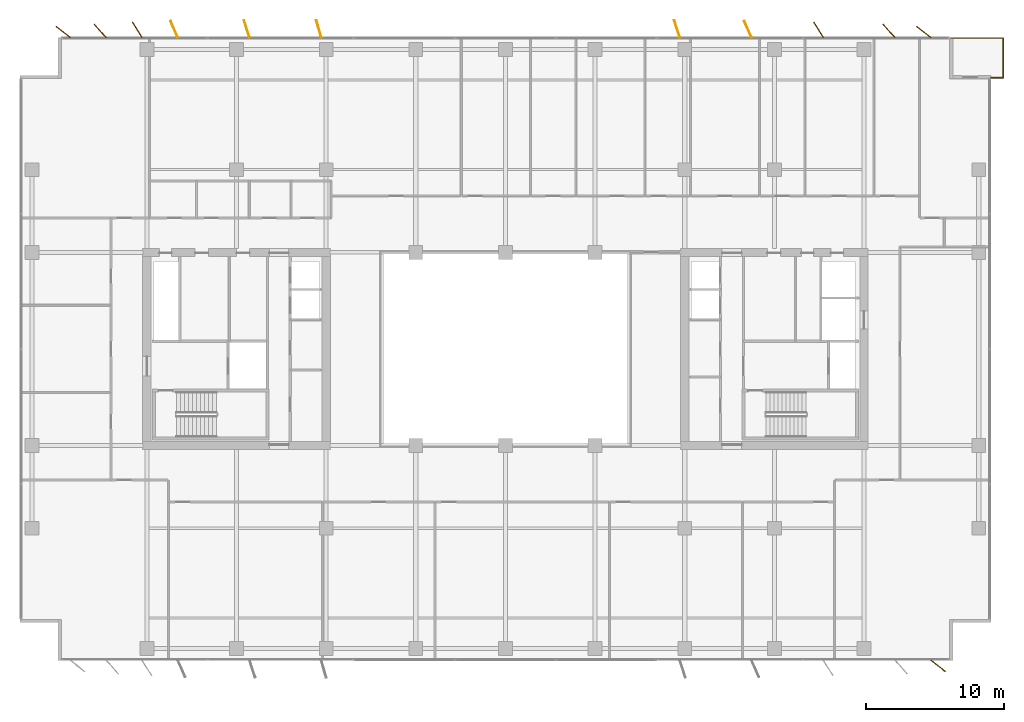
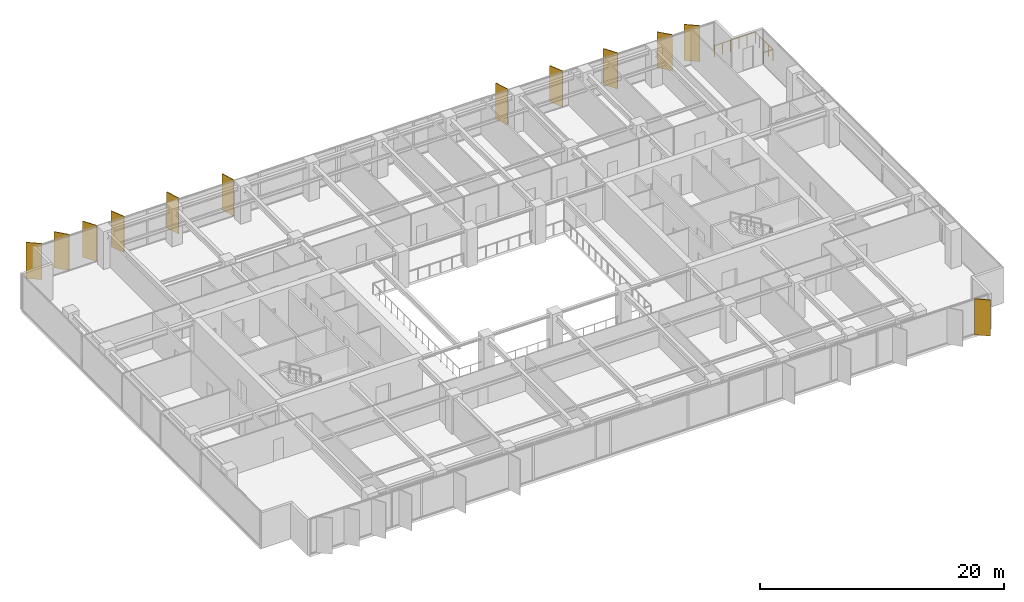
# One storey, part 22 of 22: 12 shading devices, 1 railing.
"""IFC4 building model written with IfcOpenShell, lengths in metres."""

from ifc_helpers import new_model, si_unit, direction, frame, origin, origin_2d, place, context, subcontext, project, spatial, rectangle, circle, extrude, material, layer, layer_set, type_object, element, save


model = new_model("IFC4")

# Units and contexts
model_context = context("Model", 3, precision=1e-05, world=origin(), true_north=direction((0.0, 1.0)))
body_context = subcontext(model_context, "Body", "Model", "MODEL_VIEW")
ifc_project = project(units=[si_unit("LENGTHUNIT", "METRE"), si_unit("AREAUNIT", "SQUARE_METRE"), si_unit("VOLUMEUNIT", "CUBIC_METRE"), si_unit("PLANEANGLEUNIT", "RADIAN"), si_unit("MASSUNIT", "GRAM", prefix="KILO")], contexts=[model_context])

# Site, building, storey
site_placement = place(None, origin())
site = spatial("IfcSite", under=ifc_project, at=site_placement, CompositionType="ELEMENT")
building_placement = place(site_placement, origin())
building = spatial("IfcBuilding", under=site, at=building_placement, Name="Putna Gate Headquarters", CompositionType="ELEMENT")
storey_placement = place(building_placement, frame((0.0, 0.0, 189.800048828125)))
storey = spatial("IfcBuildingStorey", under=building, at=storey_placement, Name="L47", CompositionType="ELEMENT", Elevation=189.800048828125)

# Railing
ifc_material_1 = material(Name="Anodised bronze steel and laminated glass guardrail", Category="steel")
railing_type = type_object("IfcRailingType", Name="RAIL-TERR-GUARD-1150", PredefinedType="GUARDRAIL", material=ifc_material_1)
railing_placement = place(storey_placement, frame((74.199951171875, 45.659912109375, 0.0)))
element("IfcRailing", 1, at=railing_placement, inside=storey, type_object=railing_type, Name="L47 Spiral Sky Terrace Guardrail NE", PredefinedType="GUARDRAIL", context=body_context, shape_type="SweptSolid", body=[
    extrude(circle(Radius=0.02392578125, at=origin_2d()), frame((0.0, 0.0, 1.1259765625), z_axis=(1.0, 0.0, 0.0), x_axis=(0.0, 1.0, 0.0)), (0.0, 0.0, 1.0), 0.89013671875),
    extrude(circle(Radius=0.02392578125, at=origin_2d()), frame((0.89013671875, 0.0, 1.1259765625), z_axis=(0.0, 1.0, 0.0), x_axis=(-1.0, 0.0, 0.0)), (0.0, 0.0, 1.0), 2.880126953125),
    extrude(circle(Radius=0.02392578125, at=origin_2d()), frame((0.89013671875, 2.880126953125, 1.1259765625), z_axis=(-1.0, 0.0, 0.0), x_axis=(0.0, -1.0, 0.0)), (0.0, 0.0, 1.0), 3.89013671875),
    extrude(circle(Radius=0.02099609375, at=origin_2d()), origin(), (0.0, 0.0, 1.0), 1.101806640625),
    extrude(circle(Radius=0.02099609375, at=origin_2d()), frame((0.89013671875, 0.0, 0.0)), (0.0, 0.0, 1.0), 1.101806640625),
    extrude(circle(Radius=0.02099609375, at=origin_2d()), frame((0.89013671875, 0.719970703125, 0.0)), (0.0, 0.0, 1.0), 1.101806640625),
    extrude(circle(Radius=0.02099609375, at=origin_2d()), frame((0.89013671875, 1.43994140625, 0.0)), (0.0, 0.0, 1.0), 1.101806640625),
    extrude(circle(Radius=0.02099609375, at=origin_2d()), frame((0.89013671875, 2.16015625, 0.0)), (0.0, 0.0, 1.0), 1.101806640625),
    extrude(circle(Radius=0.02099609375, at=origin_2d()), frame((0.89013671875, 2.880126953125, 0.0)), (0.0, 0.0, 1.0), 1.101806640625),
    extrude(circle(Radius=0.02099609375, at=origin_2d()), frame((0.112060546875, 2.880126953125, 0.0)), (0.0, 0.0, 1.0), 1.101806640625),
    extrude(circle(Radius=0.02099609375, at=origin_2d()), frame((-0.666015625, 2.880126953125, 0.0)), (0.0, 0.0, 1.0), 1.101806640625),
    extrude(circle(Radius=0.02099609375, at=origin_2d()), frame((-1.44384765625, 2.880126953125, 0.0)), (0.0, 0.0, 1.0), 1.101806640625),
    extrude(circle(Radius=0.02099609375, at=origin_2d()), frame((-2.221923828125, 2.880126953125, 0.0)), (0.0, 0.0, 1.0), 1.101806640625),
    extrude(circle(Radius=0.02099609375, at=origin_2d()), frame((-3.0, 2.880126953125, 0.0)), (0.0, 0.0, 1.0), 1.101806640625),
])

# Shading devices
ifc_material_2 = material(Name="Anodised architectural bronze aluminium fin", Category="aluminium")
ifc_layer = layer(ifc_material_2, 0.06494140625)
ifc_layer_set = layer_set([ifc_layer], Name="Anodised architectural bronze aluminium fin")
shading_device_type = type_object("IfcShadingDeviceType", Name="SHADE-BRONZE-FIN-1320", PredefinedType="USERDEFINED", material=ifc_layer_set)
for number, where, z_axis, x_axis, name in (
    (2, (6.930419921875, 48.981689453125, -0.02001953125), (0.0, 0.0, 1.0), (-0.787473187632, 0.616348909921, 0.0), "L47 Bronze Vertical Shading Fin N1"),
    (3, (9.6083984375, 49.0654296875, -0.02001953125), (0.0, 0.0, 1.0), (-0.669130606359, 0.743144825477, 0.0), "L47 Bronze Vertical Shading Fin N2"),
    (4, (12.2998046875, 49.134521484375, -0.02001953125), (0.0, 0.0, 1.0), (-0.530659123936, 0.847585331506, 0.0), "L47 Bronze Vertical Shading Fin N3"),
    (5, (14.985595703125, 49.1796875, -0.02001953125), (0.0, 0.0, 1.0), (-0.400668879095, 0.916222925562, 0.0), "L47 Bronze Vertical Shading Fin N4"),
    (6, (20.246337890625, 49.202880859375, -0.02001953125), (0.0, 0.0, 1.0), (-0.308684994204, 0.951164325631, 0.0), "L47 Bronze Vertical Shading Fin N5"),
    (7, (25.468017578125, 49.20947265625, -0.02001953125), (0.0, 0.0, 1.0), (-0.275637355817, 0.961261695938, 0.0), "L47 Bronze Vertical Shading Fin N6"),
    (8, (51.4462890625, 49.202880859375, -0.02001953125), (0.0, 0.0, 1.0), (-0.308684994204, 0.951164325631, 0.0), "L47 Bronze Vertical Shading Fin N7"),
    (9, (56.585693359375, 49.1796875, -0.02001953125), (0.0, 0.0, 1.0), (-0.400668879095, 0.916222925562, 0.0), "L47 Bronze Vertical Shading Fin N8"),
    (10, (61.69970703125, 49.134521484375, -0.02001953125), (0.0, 0.0, 1.0), (-0.530659123936, 0.847585331506, 0.0), "L47 Bronze Vertical Shading Fin N9"),
    (11, (66.808349609375, 49.0654296875, -0.02001953125), (0.0, 0.0, 1.0), (-0.669130606359, 0.743144825477, 0.0), "L47 Bronze Vertical Shading Fin N10"),
    (12, (70.36962890625, 3.018310546875, -0.02001953125), (0.0, 0.0, 1.0), (0.787473187632, -0.616348909921, 0.0), "L47 Bronze Vertical Shading Fin S11"),
    (13, (69.330322265625, 48.981689453125, -0.02001953125), (0.0, 0.0, 1.0), (-0.787473187632, 0.616348909921, 0.0), "L47 Bronze Vertical Shading Fin N11"),
):
    element("IfcShadingDevice", number, at=place(storey_placement, frame(where, z_axis=z_axis, x_axis=x_axis)), inside=storey, type_object=shading_device_type, Name=name, ObjectType="FIN", PredefinedType="USERDEFINED", context=body_context, shape_type="SweptSolid", body=[
        extrude(rectangle(XDim=1.320068359375, YDim=0.06494140625, at=origin_2d()), origin(), (0.0, 0.0, 1.0), 3.612060546875),
    ])

save(model, "model.ifc")
